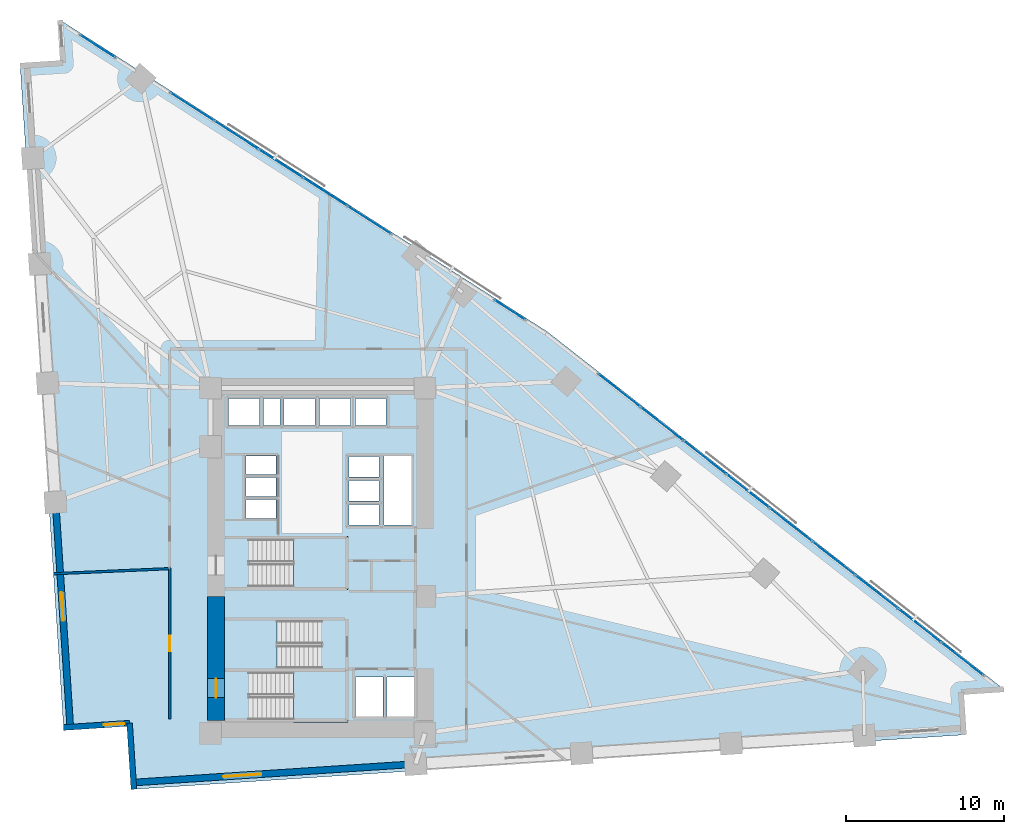
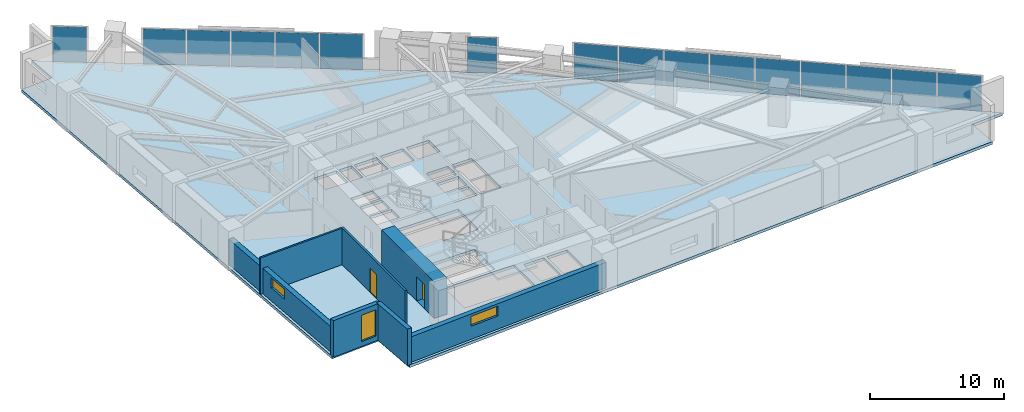
# One storey, part 11 of 16: 16 plates, 7 walls, 4 slabs, 3 windows, 2 doors, 5 openings, 7 elements without a shape of their own.
"""IFC4 building model written with IfcOpenShell, lengths in metres."""

from ifc_helpers import new_model, si_unit, direction, frame, frame_2d, origin, origin_2d, place, context, subcontext, project, spatial, polyline, rectangle, outline, extrude, material, layer, layer_set, type_object, element, fill, aggregate, save


model = new_model("IFC4")

# Units and contexts
model_context = context("Model", 3, precision=1e-05, world=origin(), true_north=direction((0.0, 1.0)))
body_context = subcontext(model_context, "Body", "Model", "MODEL_VIEW")
ifc_project = project(units=[si_unit("LENGTHUNIT", "METRE"), si_unit("AREAUNIT", "SQUARE_METRE"), si_unit("VOLUMEUNIT", "CUBIC_METRE"), si_unit("PLANEANGLEUNIT", "RADIAN"), si_unit("MASSUNIT", "GRAM", prefix="KILO")], contexts=[model_context])

# Site, building, storey
site_placement = place(None, origin())
site = spatial("IfcSite", under=ifc_project, at=site_placement, CompositionType="ELEMENT")
building_placement = place(site_placement, origin())
building = spatial("IfcBuilding", under=site, at=building_placement, Name="Narakoshi Arena Tower", CompositionType="ELEMENT")
storey_placement = place(building_placement, frame((0.0, 0.0, 84.89990234375)))
storey = spatial("IfcBuildingStorey", under=building, at=storey_placement, Name="L22", CompositionType="ELEMENT", Elevation=84.89990234375)

# Curtain wall, plates
ifc_material_1 = material(Name="Anodised bronze aluminium 6063-T6", Category="aluminium")
curtain_wall_type = type_object("IfcCurtainWallType", Name="CW-HYP-LOW", PredefinedType="NOTDEFINED", material=ifc_material_1)
curtain_wall_1_placement = place(storey_placement, origin())
curtain_wall_1 = element("IfcCurtainWall", 1, at=curtain_wall_1_placement, inside=storey, type_object=curtain_wall_type, Name="L22 Folded Hypotenuse Curtain Wall 1-1", PredefinedType="NOTDEFINED")
ifc_material_2 = material(Name="Bronze-tinted low-E laminated glass", Category="glass")
ifc_layer_1 = layer(ifc_material_2, 0.031982421875)
ifc_layer_set_1 = layer_set([ifc_layer_1], Name="Bronze-tinted low-E laminated glass")
plate_type = type_object("IfcPlateType", Name="PLT-GLZ-32", PredefinedType="CURTAIN_PANEL", material=ifc_layer_set_1)
plate_1_placement = place(storey_placement, frame((119.491455078125, 39.385986328125, 0.065185546875), z_axis=(0.0, 0.0, 1.0), x_axis=(-0.787387607817, 0.616458234641, 0.0)))
plate_1 = element("IfcPlate", 2, at=plate_1_placement, type_object=plate_type, Name="CW-01 panel 1.1", PredefinedType="CURTAIN_PANEL", context=body_context, shape_type="SweptSolid", body=[
    extrude(rectangle(XDim=3.331298828125, YDim=0.031982421875, at=origin_2d()), origin(), (0.0, 0.0, 1.0), 3.2099609375),
])
plate_2_placement = place(storey_placement, frame((116.794677734375, 41.497314453125, 0.065185546875), z_axis=(0.0, 0.0, 1.0), x_axis=(-0.787387607817, 0.616458234641, 0.0)))
plate_2 = element("IfcPlate", 3, at=plate_2_placement, type_object=plate_type, Name="CW-01 panel 2.1", PredefinedType="CURTAIN_PANEL", context=body_context, shape_type="SweptSolid", body=[
    extrude(rectangle(XDim=3.36865234375, YDim=0.031982421875, at=origin_2d()), origin(), (0.0, 0.0, 1.0), 3.2099609375),
])
plate_3_placement = place(storey_placement, frame((114.083251953125, 43.620361328125, 0.065185546875), z_axis=(0.0, 0.0, 1.0), x_axis=(-0.787387607817, 0.616458234641, 0.0)))
plate_3 = element("IfcPlate", 4, at=plate_3_placement, type_object=plate_type, Name="CW-01 panel 3.1", PredefinedType="CURTAIN_PANEL", context=body_context, shape_type="SweptSolid", body=[
    extrude(rectangle(XDim=3.36865234375, YDim=0.031982421875, at=origin_2d()), origin(), (0.0, 0.0, 1.0), 3.2099609375),
])
plate_4_placement = place(storey_placement, frame((111.37158203125, 45.7431640625, 0.065185546875), z_axis=(0.0, 0.0, 1.0), x_axis=(-0.787387607817, 0.616458234641, 0.0)))
plate_4 = element("IfcPlate", 5, at=plate_4_placement, type_object=plate_type, Name="CW-01 panel 4.1", PredefinedType="CURTAIN_PANEL", context=body_context, shape_type="SweptSolid", body=[
    extrude(rectangle(XDim=3.36865234375, YDim=0.031982421875, at=origin_2d()), origin(), (0.0, 0.0, 1.0), 3.2099609375),
])
plate_5_placement = place(storey_placement, frame((108.66015625, 47.8662109375, 0.065185546875), z_axis=(0.0, 0.0, 1.0), x_axis=(-0.787387607817, 0.616458234641, 0.0)))
plate_5 = element("IfcPlate", 6, at=plate_5_placement, type_object=plate_type, Name="CW-01 panel 5.1", PredefinedType="CURTAIN_PANEL", context=body_context, shape_type="SweptSolid", body=[
    extrude(rectangle(XDim=3.36865234375, YDim=0.031982421875, at=origin_2d()), origin(), (0.0, 0.0, 1.0), 3.2099609375),
])
plate_6_placement = place(storey_placement, frame((105.948486328125, 49.989013671875, 0.065185546875), z_axis=(0.0, 0.0, 1.0), x_axis=(-0.787387607817, 0.616458234641, 0.0)))
plate_6 = element("IfcPlate", 7, at=plate_6_placement, type_object=plate_type, Name="CW-01 panel 6.1", PredefinedType="CURTAIN_PANEL", context=body_context, shape_type="SweptSolid", body=[
    extrude(rectangle(XDim=3.36865234375, YDim=0.031982421875, at=origin_2d()), origin(), (0.0, 0.0, 1.0), 3.2099609375),
])
plate_7_placement = place(storey_placement, frame((103.237060546875, 52.11181640625, 0.065185546875), z_axis=(0.0, 0.0, 1.0), x_axis=(-0.787387607817, 0.616458234641, 0.0)))
plate_7 = element("IfcPlate", 8, at=plate_7_placement, type_object=plate_type, Name="CW-01 panel 7.1", PredefinedType="CURTAIN_PANEL", context=body_context, shape_type="SweptSolid", body=[
    extrude(rectangle(XDim=3.36865234375, YDim=0.031982421875, at=origin_2d()), origin(), (0.0, 0.0, 1.0), 3.2099609375),
])
plate_8_placement = place(storey_placement, frame((100.525634765625, 54.23486328125, 0.065185546875), z_axis=(0.0, 0.0, 1.0), x_axis=(-0.787387607817, 0.616458234641, 0.0)))
plate_8 = element("IfcPlate", 9, at=plate_8_placement, type_object=plate_type, Name="CW-01 panel 8.1", PredefinedType="CURTAIN_PANEL", context=body_context, shape_type="SweptSolid", body=[
    extrude(rectangle(XDim=3.36865234375, YDim=0.031982421875, at=origin_2d()), origin(), (0.0, 0.0, 1.0), 3.2099609375),
])
plate_9_placement = place(storey_placement, frame((97.828857421875, 56.34619140625, 0.065185546875), z_axis=(0.0, 0.0, 1.0), x_axis=(-0.787387607817, 0.616458234641, 0.0)))
plate_9 = element("IfcPlate", 10, at=plate_9_placement, type_object=plate_type, Name="CW-01 panel 9.1", PredefinedType="CURTAIN_PANEL", context=body_context, shape_type="SweptSolid", body=[
    extrude(rectangle(XDim=3.331298828125, YDim=0.031982421875, at=origin_2d()), origin(), (0.0, 0.0, 1.0), 3.2099609375),
])
aggregate(curtain_wall_1, [plate_1, plate_2, plate_3, plate_4, plate_5, plate_6, plate_7, plate_8, plate_9])

# Curtain wall, plate
curtain_wall_2_placement = place(storey_placement, origin())
curtain_wall_2 = element("IfcCurtainWall", 11, at=curtain_wall_2_placement, inside=storey, type_object=curtain_wall_type, Name="L22 Folded Hypotenuse Curtain Wall 2-1", PredefinedType="NOTDEFINED")
plate_10_placement = place(storey_placement, frame((90.921142578125, 61.4287109375, 0.065185546875), z_axis=(0.0, 0.0, 1.0), x_axis=(-0.842419407448, 0.538822365864, 0.0)))
plate_10 = element("IfcPlate", 12, at=plate_10_placement, type_object=plate_type, Name="CW-01 panel 1.1", PredefinedType="CURTAIN_PANEL", context=body_context, shape_type="SweptSolid", body=[
    extrude(rectangle(XDim=2.25439453125, YDim=0.031982421875, at=origin_2d()), origin(), (0.0, 0.0, 1.0), 3.2099609375),
])
aggregate(curtain_wall_2, [plate_10])

# Curtain wall, plates
curtain_wall_3_placement = place(storey_placement, origin())
curtain_wall_3 = element("IfcCurtainWall", 13, at=curtain_wall_3_placement, inside=storey, type_object=curtain_wall_type, Name="L22 Folded Hypotenuse Curtain Wall 2-2", PredefinedType="NOTDEFINED")
plate_11_placement = place(storey_placement, frame((82.033447265625, 67.113525390625, 0.065185546875), z_axis=(0.0, 0.0, 1.0), x_axis=(-0.842415100992, 0.538829098714, 0.0)))
plate_11 = element("IfcPlate", 14, at=plate_11_placement, type_object=plate_type, Name="CW-01 panel 1.1", PredefinedType="CURTAIN_PANEL", context=body_context, shape_type="SweptSolid", body=[
    extrude(rectangle(XDim=3.2158203125, YDim=0.031982421875, at=origin_2d()), origin(), (0.0, 0.0, 1.0), 3.2099609375),
])
plate_12_placement = place(storey_placement, frame((79.24560546875, 68.896728515625, 0.065185546875), z_axis=(0.0, 0.0, 1.0), x_axis=(-0.842415100992, 0.538829098714, 0.0)))
plate_12 = element("IfcPlate", 15, at=plate_12_placement, type_object=plate_type, Name="CW-01 panel 2.1", PredefinedType="CURTAIN_PANEL", context=body_context, shape_type="SweptSolid", body=[
    extrude(rectangle(XDim=3.253173828125, YDim=0.031982421875, at=origin_2d()), origin(), (0.0, 0.0, 1.0), 3.2099609375),
])
plate_13_placement = place(storey_placement, frame((76.441650390625, 70.690185546875, 0.065185546875), z_axis=(0.0, 0.0, 1.0), x_axis=(-0.842415100992, 0.538829098714, 0.0)))
plate_13 = element("IfcPlate", 16, at=plate_13_placement, type_object=plate_type, Name="CW-01 panel 3.1", PredefinedType="CURTAIN_PANEL", context=body_context, shape_type="SweptSolid", body=[
    extrude(rectangle(XDim=3.253173828125, YDim=0.031982421875, at=origin_2d()), origin(), (0.0, 0.0, 1.0), 3.2099609375),
])
plate_14_placement = place(storey_placement, frame((73.637939453125, 72.4833984375, 0.065185546875), z_axis=(0.0, 0.0, 1.0), x_axis=(-0.842415100992, 0.538829098714, 0.0)))
plate_14 = element("IfcPlate", 17, at=plate_14_placement, type_object=plate_type, Name="CW-01 panel 4.1", PredefinedType="CURTAIN_PANEL", context=body_context, shape_type="SweptSolid", body=[
    extrude(rectangle(XDim=3.253173828125, YDim=0.031982421875, at=origin_2d()), origin(), (0.0, 0.0, 1.0), 3.2099609375),
])
plate_15_placement = place(storey_placement, frame((70.85009765625, 74.266845703125, 0.065185546875), z_axis=(0.0, 0.0, 1.0), x_axis=(-0.842415100992, 0.538829098714, 0.0)))
plate_15 = element("IfcPlate", 18, at=plate_15_placement, type_object=plate_type, Name="CW-01 panel 5.1", PredefinedType="CURTAIN_PANEL", context=body_context, shape_type="SweptSolid", body=[
    extrude(rectangle(XDim=3.2158203125, YDim=0.031982421875, at=origin_2d()), origin(), (0.0, 0.0, 1.0), 3.2099609375),
])
aggregate(curtain_wall_3, [plate_11, plate_12, plate_13, plate_14, plate_15])

# Curtain wall, plate
curtain_wall_4_placement = place(storey_placement, origin())
curtain_wall_4 = element("IfcCurtainWall", 19, at=curtain_wall_4_placement, inside=storey, type_object=curtain_wall_type, Name="L22 Folded Hypotenuse Curtain Wall 2-3", PredefinedType="NOTDEFINED")
plate_16_placement = place(storey_placement, frame((64.867919921875, 78.093017578125, 0.065185546875), z_axis=(0.0, 0.0, 1.0), x_axis=(-0.842407418791, 0.538841109017, 0.0)))
plate_16 = element("IfcPlate", 20, at=plate_16_placement, type_object=plate_type, Name="CW-01 panel 1.1", PredefinedType="CURTAIN_PANEL", context=body_context, shape_type="SweptSolid", body=[
    extrude(rectangle(XDim=2.60009765625, YDim=0.031982421875, at=origin_2d()), origin(), (0.0, 0.0, 1.0), 3.2099609375),
])
aggregate(curtain_wall_4, [plate_16])

# Stair, slab
ifc_material_3 = material(Name="Concrete C45/55", Category="concrete")
stair_type = type_object("IfcStairType", Name="STR-CORE-360", PredefinedType="TWO_STRAIGHT_RUN_STAIR", material=ifc_material_3)
stair_1_placement = place(storey_placement, origin())
stair_1 = element("IfcStair", 21, at=stair_1_placement, inside=storey, type_object=stair_type, Name="L22 Core Escape Stair ST1", PredefinedType="TWO_STRAIGHT_RUN_STAIR")
ifc_layer_2 = layer(ifc_material_3, 0.18994140625)
ifc_layer_set_2 = layer_set([ifc_layer_2], Name="Concrete C45/55")
slab_type_1 = type_object("IfcSlabType", Name="SLB-LND-190", PredefinedType="LANDING", material=ifc_layer_set_2)
slab_1_placement = place(storey_placement, frame((0.0, 0.0, 1.610107421875)))
slab_1 = element("IfcSlab", 22, at=slab_1_placement, type_object=slab_type_1, Name="ST1 landing 1", PredefinedType="LANDING", context=body_context, shape_type="SweptSolid", body=[
    extrude(outline(polyline([(77.25, 35.3701171875), (80.679931640625, 35.3701171875), (80.679931640625, 38.72998046875), (77.25, 38.72998046875), (77.25, 35.3701171875)])), origin(), (0.0, 0.0, 1.0), 0.18994140625),
])
aggregate(stair_1, [slab_1])

stair_2_placement = place(storey_placement, origin())
stair_2 = element("IfcStair", 23, at=stair_2_placement, inside=storey, type_object=stair_type, Name="L22 Core Escape Stair ST2", PredefinedType="TWO_STRAIGHT_RUN_STAIR")
slab_2_placement = place(storey_placement, frame((0.0, 0.0, 1.610107421875)))
slab_2 = element("IfcSlab", 24, at=slab_2_placement, type_object=slab_type_1, Name="ST2 landing 1", PredefinedType="LANDING", context=body_context, shape_type="SweptSolid", body=[
    extrude(outline(polyline([(72.77001953125, 38.6201171875), (76.199951171875, 38.6201171875), (76.199951171875, 41.97998046875), (72.77001953125, 41.97998046875), (72.77001953125, 38.6201171875)])), origin(), (0.0, 0.0, 1.0), 0.18994140625),
])
aggregate(stair_2, [slab_2])

stair_3_placement = place(storey_placement, origin())
stair_3 = element("IfcStair", 25, at=stair_3_placement, inside=storey, type_object=stair_type, Name="L22 Core Escape Stair ST3", PredefinedType="TWO_STRAIGHT_RUN_STAIR")
slab_3_placement = place(storey_placement, frame((0.0, 0.0, 1.610107421875)))
slab_3 = element("IfcSlab", 26, at=slab_3_placement, type_object=slab_type_1, Name="ST3 landing 1", PredefinedType="LANDING", context=body_context, shape_type="SweptSolid", body=[
    extrude(outline(polyline([(77.25, 43.77001953125), (80.679931640625, 43.77001953125), (80.679931640625, 47.1298828125), (77.25, 47.1298828125), (77.25, 43.77001953125)])), origin(), (0.0, 0.0, 1.0), 0.18994140625),
])
aggregate(stair_3, [slab_3])

# Slab
ifc_material_4 = material(Name="Concrete C50/60", Category="concrete")
ifc_layer_3 = layer(ifc_material_4, 0.260009765625)
ifc_layer_set_3 = layer_set([ifc_layer_3], Name="Concrete C50/60")
slab_type_2 = type_object("IfcSlabType", Name="SLB-SKY-260", PredefinedType="FLOOR", material=ifc_layer_set_3)
slab_4_placement = place(storey_placement, frame((0.0, 0.0, -0.260009765625)))
element("IfcSlab", 27, at=slab_4_placement, inside=storey, type_object=slab_type_2, Name="L22 Structural Floor Slab", PredefinedType="FLOOR", context=body_context, shape_type="SweptSolid", body=[
    extrude(outline(polyline([(67.160888671875, 31.15869140625), (119.58447265625, 34.594482421875), (119.40673828125, 37.30517578125), (122.1171875, 37.48291015625), (93.26220703125, 60.07373046875), (62.5107421875, 79.743408203125), (62.688232421875, 77.03271484375), (59.977783203125, 76.85498046875), (62.717529296875, 35.055419921875), (66.887451171875, 35.32861328125), (67.160888671875, 31.15869140625)]), holes=[polyline([(74.47998046875, 35.550048828125), (74.47998046875, 38.550048828125), (80.5, 38.550048828125), (80.5, 35.550048828125), (74.47998046875, 35.550048828125)]), polyline([(81.14990234375, 35.75), (81.14990234375, 38.25), (82.89990234375, 38.25), (82.89990234375, 35.75), (81.14990234375, 35.75)]), polyline([(83.14990234375, 35.75), (83.14990234375, 38.25), (84.89990234375, 38.25), (84.89990234375, 35.75), (83.14990234375, 35.75)]), polyline([(72.949951171875, 38.800048828125), (72.949951171875, 41.800048828125), (78.969970703125, 41.800048828125), (78.969970703125, 38.800048828125), (72.949951171875, 38.800048828125)]), polyline([(74.47998046875, 43.949951171875), (74.47998046875, 46.949951171875), (80.5, 46.949951171875), (80.5, 43.949951171875), (74.47998046875, 43.949951171875)]), polyline([(82.949951171875, 47.840087890625), (82.949951171875, 52.199951171875), (84.699951171875, 52.199951171875), (84.699951171875, 47.840087890625), (82.949951171875, 47.840087890625)]), polyline([(80.75, 47.85009765625), (80.75, 49.14990234375), (82.64990234375, 49.14990234375), (82.64990234375, 47.85009765625), (80.75, 47.85009765625)]), polyline([(74.25, 48.25), (74.25, 49.449951171875), (76.14990234375, 49.449951171875), (76.14990234375, 48.25), (74.25, 48.25)]), polyline([(80.75, 49.3701171875), (80.75, 50.669921875), (82.64990234375, 50.669921875), (82.64990234375, 49.3701171875), (80.75, 49.3701171875)]), polyline([(74.25, 49.64990234375), (74.25, 50.85009765625), (76.14990234375, 50.85009765625), (76.14990234375, 49.64990234375), (74.25, 49.64990234375)]), polyline([(80.75, 50.889892578125), (80.75, 52.18994140625), (82.64990234375, 52.18994140625), (82.64990234375, 50.889892578125), (80.75, 50.889892578125)]), polyline([(74.25, 51.050048828125), (74.25, 52.2099609375), (76.14990234375, 52.2099609375), (76.14990234375, 51.050048828125), (74.25, 51.050048828125)]), polyline([(73.14990234375, 54.14990234375), (73.14990234375, 55.85009765625), (75.10009765625, 55.85009765625), (75.10009765625, 54.14990234375), (73.14990234375, 54.14990234375)]), polyline([(75.35009765625, 54.14990234375), (75.35009765625, 55.85009765625), (76.39990234375, 55.85009765625), (76.39990234375, 54.14990234375), (75.35009765625, 54.14990234375)]), polyline([(76.64990234375, 54.14990234375), (76.64990234375, 55.85009765625), (78.60009765625, 55.85009765625), (78.60009765625, 54.14990234375), (76.64990234375, 54.14990234375)]), polyline([(78.89990234375, 55.85009765625), (80.85009765625, 55.85009765625), (80.85009765625, 54.14990234375), (78.89990234375, 54.14990234375), (78.89990234375, 55.85009765625)]), polyline([(81.14990234375, 55.85009765625), (83.10009765625, 55.85009765625), (83.10009765625, 54.14990234375), (81.14990234375, 54.14990234375), (81.14990234375, 55.85009765625)])]), origin(), (0.0, 0.0, 1.0), 0.260009765625),
])

# Wall, opening, door
ifc_material_5 = material(Name="Concrete C60/75", Category="concrete")
ifc_layer_4 = layer(ifc_material_5, 1.10009765625)
ifc_layer_set_4 = layer_set([ifc_layer_4], Name="Concrete C60/75")
wall_type_1 = type_object("IfcWallType", Name="WL-CORE-1100", PredefinedType="SHEAR", material=ifc_layer_set_4)
wall_1_placement = place(storey_placement, frame((72.35009765625, 35.5, -0.260009765625), z_axis=(0.0, 0.0, 1.0), x_axis=(0.0, 1.0, 0.0)))
wall_1 = element("IfcWall", 28, at=wall_1_placement, inside=storey, type_object=wall_type_1, Name="L22 Central Core Shear Wall CW-APX-W", PredefinedType="SHEAR", context=body_context, shape_type="SweptSolid", body=[
    extrude(rectangle(XDim=7.85009765625, YDim=1.10009765625, at=frame_2d((3.925048828125, 0.0))), origin(), (0.0, 0.0, 1.0), 3.60009765625),
])
opening_1_placement = place(wall_1_placement, frame((1.449951171875, 0.0, 0.260009765625)))
opening_1 = element("IfcOpeningElement", 29, at=opening_1_placement, cuts=wall_1, Name="Opening D-03", PredefinedType="OPENING", context=body_context, shape_type="SweptSolid", body=[
    extrude(rectangle(XDim=1.199951171875, YDim=2.199951171875, at=frame_2d((0.60009765625, 1.10009765625))), frame((0.0, 0.56005859375, 0.0), z_axis=(0.0, -1.0, 0.0), x_axis=(1.0, 0.0, 0.0)), (0.0, 0.0, 1.0), 1.1201171875),
])
ifc_material_6 = material(Name="Painted galvanized steel", Category="steel")
door_type_1 = type_object("IfcDoorType", Name="DR-STR-1200", OperationType="NOTDEFINED", PredefinedType="USERDEFINED", material=ifc_material_6)
door_1_placement = place(opening_1_placement, frame((1.199951171875, 0.0, 0.0), z_axis=(0.0, 0.0, 1.0), x_axis=(-1.0, 0.0, 0.0)))
door_1 = element("IfcDoor", 30, at=door_1_placement, inside=storey, type_object=door_type_1, Name="DR-L22-001", ObjectType="EXITDOOR", OperationType="SINGLE_SWING_LEFT", OverallHeight=2.199951171875, OverallWidth=1.199951171875, PredefinedType="USERDEFINED", context=body_context, shape_type="SweptSolid", body=[
    extrude(rectangle(XDim=1.199951171875, YDim=2.199951171875, at=frame_2d((0.60009765625, 1.10009765625))), frame((0.0, 0.02490234375, 0.0), z_axis=(0.0, -1.0, 0.0), x_axis=(1.0, 0.0, 0.0)), (0.0, 0.0, 1.0), 0.050048828125),
])
fill(opening_1, door_1)

ifc_material_7 = material(Name="Gypsum plasterboard fire-rated partition")
ifc_layer_5 = layer(ifc_material_7, 0.1650390625)
ifc_layer_set_5 = layer_set([ifc_layer_5], Name="Gypsum plasterboard fire-rated partition")
wall_type_2 = type_object("IfcWallType", Name="WL-CORR-165", PredefinedType="PARTITIONING", material=ifc_layer_set_5)
wall_2_placement = place(storey_placement, frame((69.427490234375, 45.1318359375, 0.0), z_axis=(0.0, 0.0, 1.0), x_axis=(0.0, -1.0, 0.0)))
wall_2 = element("IfcWall", 31, at=wall_2_placement, inside=storey, type_object=wall_type_2, Name="L22 Corridor Partition 01-1", PredefinedType="PARTITIONING", context=body_context, shape_type="SweptSolid", body=[
    extrude(rectangle(XDim=9.53466796875, YDim=0.1650390625, at=frame_2d((4.767333984375, 0.0))), origin(), (0.0, 0.0, 1.0), 3.340087890625),
])
opening_2_placement = place(wall_2_placement, frame((4.267333984375, 0.0, 0.0)))
opening_2 = element("IfcOpeningElement", 32, at=opening_2_placement, cuts=wall_2, Name="Opening D-06", PredefinedType="OPENING", context=body_context, shape_type="SweptSolid", body=[
    extrude(rectangle(XDim=1.0, YDim=2.199951171875, at=frame_2d((0.5, 1.10009765625))), frame((0.0, 0.092529296875, 0.0), z_axis=(0.0, -1.0, 0.0), x_axis=(1.0, 0.0, 0.0)), (0.0, 0.0, 1.0), 0.18505859375),
])
ifc_material_8 = material(Name="Stained oak solid-core timber", Category="wood")
door_type_2 = type_object("IfcDoorType", Name="DR-OFF-1000", OperationType="NOTDEFINED", PredefinedType="DOOR", material=ifc_material_8)
door_2_placement = place(opening_2_placement, frame((1.0, 0.0, 0.0), z_axis=(0.0, 0.0, 1.0), x_axis=(-1.0, 0.0, 0.0)))
door_2 = element("IfcDoor", 33, at=door_2_placement, inside=storey, type_object=door_type_2, Name="DR-L22-014", OperationType="SINGLE_SWING_RIGHT", OverallHeight=2.199951171875, OverallWidth=1.0, PredefinedType="DOOR", context=body_context, shape_type="SweptSolid", body=[
    extrude(rectangle(XDim=1.0, YDim=2.199951171875, at=frame_2d((0.5, 1.10009765625))), frame((0.0, 0.02490234375, 0.0), z_axis=(0.0, -1.0, 0.0), x_axis=(1.0, 0.0, 0.0)), (0.0, 0.0, 1.0), 0.050048828125),
])
fill(opening_2, door_2)

# Wall, opening, window
ifc_material_9 = material(Name="Precast concrete C45/55", Category="concrete")
ifc_layer_6 = layer(ifc_material_9, 0.419921875)
ifc_layer_set_6 = layer_set([ifc_layer_6], Name="Precast concrete C45/55")
wall_type_3 = type_object("IfcWallType", Name="WL-POD-420", PredefinedType="SOLIDWALL", material=ifc_layer_set_6)
wall_3_placement = place(storey_placement, frame((67.133056640625, 31.582763671875, 0.0), z_axis=(0.0, 0.0, 1.0), x_axis=(0.997859040617, 0.065401338356, 0.0)))
wall_3 = element("IfcWall", 34, at=wall_3_placement, inside=storey, type_object=wall_type_3, Name="L22 Architectural Concrete Facade Wall LEGA-1", PredefinedType="SOLIDWALL", context=body_context, shape_type="SweptSolid", body=[
    extrude(rectangle(XDim=17.8623046875, YDim=0.419921875, at=frame_2d((8.93115234375, 0.0))), origin(), (0.0, 0.0, 1.0), 2.3251953125),
])
opening_3_placement = place(wall_3_placement, frame((5.699951171875, 0.0, 1.199951171875)))
opening_3 = element("IfcOpeningElement", 35, at=opening_3_placement, cuts=wall_3, Name="Opening WN-01", PredefinedType="OPENING", context=body_context, shape_type="SweptSolid", body=[
    extrude(rectangle(XDim=2.39990234375, YDim=0.89990234375, at=frame_2d((1.199951171875, 0.449951171875))), frame((0.0, 0.219970703125, 0.0), z_axis=(0.0, -1.0, 0.0), x_axis=(1.0, 0.0, 0.0)), (0.0, 0.0, 1.0), 0.43994140625),
])
window_type_1 = type_object("IfcWindowType", Name="WIN-SLT-24x09", PartitioningType="SINGLE_PANEL", PredefinedType="WINDOW", material=ifc_material_2)
window_1_placement = place(opening_3_placement, origin())
window_1 = element("IfcWindow", 36, at=window_1_placement, inside=storey, type_object=window_type_1, Name="L22 LEGA1 Horizontal Slot Window 1", OverallHeight=0.89990234375, OverallWidth=2.39990234375, PartitioningType="SINGLE_PANEL", PredefinedType="WINDOW", context=body_context, shape_type="SweptSolid", body=[
    extrude(rectangle(XDim=2.39990234375, YDim=0.89990234375, at=frame_2d((1.199951171875, 0.449951171875))), frame((0.0, 0.030029296875, 0.0), z_axis=(0.0, -1.0, 0.0), x_axis=(1.0, 0.0, 0.0)), (0.0, 0.0, 1.0), 0.06005859375),
])
fill(opening_3, window_1)

wall_4_placement = place(storey_placement, frame((62.210205078125, 49.294921875, 0.0), z_axis=(0.0, 0.0, 1.0), x_axis=(0.065396027757, -0.997859388668, 0.0)))
wall_4 = element("IfcWall", 37, at=wall_4_placement, inside=storey, type_object=wall_type_3, Name="L22 Architectural Concrete Facade Wall LEGB-3", PredefinedType="SOLIDWALL", context=body_context, shape_type="SweptSolid", body=[
    extrude(rectangle(XDim=14.242431640625, YDim=0.419921875, at=frame_2d((7.12109375, 0.0))), origin(), (0.0, 0.0, 1.0), 2.3251953125),
])
opening_4_placement = place(wall_4_placement, frame((5.699951171875, 0.0, 1.199951171875)))
opening_4 = element("IfcOpeningElement", 38, at=opening_4_placement, cuts=wall_4, Name="Opening WN-02", PredefinedType="OPENING", context=body_context, shape_type="SweptSolid", body=[
    extrude(rectangle(XDim=1.800048828125, YDim=0.89990234375, at=frame_2d((0.89990234375, 0.449951171875))), frame((0.0, 0.219970703125, 0.0), z_axis=(0.0, -1.0, 0.0), x_axis=(1.0, 0.0, 0.0)), (0.0, 0.0, 1.0), 0.43994140625),
])
window_type_2 = type_object("IfcWindowType", Name="WIN-SLT-18x09", PartitioningType="SINGLE_PANEL", PredefinedType="WINDOW", material=ifc_material_2)
window_2_placement = place(opening_4_placement, origin())
window_2 = element("IfcWindow", 39, at=window_2_placement, inside=storey, type_object=window_type_2, Name="L22 LEGB3 Horizontal Slot Window 1", OverallHeight=0.89990234375, OverallWidth=1.800048828125, PartitioningType="SINGLE_PANEL", PredefinedType="WINDOW", context=body_context, shape_type="SweptSolid", body=[
    extrude(rectangle(XDim=1.800048828125, YDim=0.89990234375, at=frame_2d((0.89990234375, 0.449951171875))), frame((0.0, 0.030029296875, 0.0), z_axis=(0.0, -1.0, 0.0), x_axis=(1.0, 0.0, 0.0)), (0.0, 0.0, 1.0), 0.06005859375),
])
fill(opening_4, window_2)

wall_5_placement = place(storey_placement, frame((62.717529296875, 35.055419921875, 0.0), z_axis=(0.0, 0.0, 1.0), x_axis=(0.997860761953, 0.065375069826, 0.0)))
wall_5 = element("IfcWall", 40, at=wall_5_placement, inside=storey, type_object=wall_type_3, Name="L22 Re-Entrant Corner Notch Wall NTA-1", PredefinedType="SOLIDWALL", context=body_context, shape_type="SweptSolid", body=[
    extrude(rectangle(XDim=4.178955078125, YDim=0.360107421875, at=frame_2d((2.08935546875, 0.0))), origin(), (0.0, 0.0, 1.0), 3.340087890625),
])
opening_5_placement = place(wall_5_placement, frame((2.5390625, 0.0, 0.449951171875)))
opening_5 = element("IfcOpeningElement", 41, at=opening_5_placement, cuts=wall_5, Name="Opening WN-06", PredefinedType="OPENING", context=body_context, shape_type="SweptSolid", body=[
    extrude(rectangle(XDim=1.300048828125, YDim=2.39990234375, at=frame_2d((0.64990234375, 1.199951171875))), frame((0.0, 0.18994140625, 0.0), z_axis=(0.0, -1.0, 0.0), x_axis=(1.0, 0.0, 0.0)), (0.0, 0.0, 1.0), 0.380126953125),
])
window_type_3 = type_object("IfcWindowType", Name="WIN-NTC-16x24", PartitioningType="SINGLE_PANEL", PredefinedType="WINDOW", material=ifc_material_2)
window_3_placement = place(opening_5_placement, origin())
window_3 = element("IfcWindow", 42, at=window_3_placement, inside=storey, type_object=window_type_3, Name="L22 Corner Notch Window NTA", OverallHeight=2.39990234375, OverallWidth=1.300048828125, PartitioningType="SINGLE_PANEL", PredefinedType="WINDOW", context=body_context, shape_type="SweptSolid", body=[
    extrude(rectangle(XDim=1.300048828125, YDim=2.39990234375, at=frame_2d((0.64990234375, 1.199951171875))), frame((0.0, 0.030029296875, 0.0), z_axis=(0.0, -1.0, 0.0), x_axis=(1.0, 0.0, 0.0)), (0.0, 0.0, 1.0), 0.06005859375),
])
fill(opening_5, window_3)

# Walls
wall_6_placement = place(storey_placement, frame((66.887451171875, 35.32861328125, 0.0), z_axis=(0.0, 0.0, 1.0), x_axis=(0.065433242561, -0.99785694905, 0.0)))
element("IfcWall", 43, at=wall_6_placement, inside=storey, type_object=wall_type_3, Name="L22 Re-Entrant Corner Notch Wall NTA-2", PredefinedType="SOLIDWALL", context=body_context, shape_type="SweptSolid", body=[
    extrude(rectangle(XDim=4.178955078125, YDim=0.360107421875, at=frame_2d((2.08935546875, 0.0))), origin(), (0.0, 0.0, 1.0), 3.340087890625),
])
ifc_material_10 = material(Name="Moisture-resistant cement-board partition")
ifc_layer_7 = layer(ifc_material_10, 0.14501953125)
ifc_layer_set_7 = layer_set([ifc_layer_7], Name="Moisture-resistant cement-board partition")
wall_type_4 = type_object("IfcWallType", Name="WL-WET-145", PredefinedType="PARTITIONING", material=ifc_layer_set_7)
wall_7_placement = place(storey_placement, frame((62.08056640625, 44.77294921875, 0.0), z_axis=(0.0, 0.0, 1.0), x_axis=(0.999036449183, 0.043888189799, 0.0)))
element("IfcWall", 44, at=wall_7_placement, inside=storey, type_object=wall_type_4, Name="L22 Inter-Room Partition 01-09", PredefinedType="PARTITIONING", context=body_context, shape_type="SweptSolid", body=[
    extrude(rectangle(XDim=7.259521484375, YDim=0.14501953125, at=frame_2d((3.6298828125, 0.0))), origin(), (0.0, 0.0, 1.0), 3.340087890625),
])

save(model, "model.ifc")
